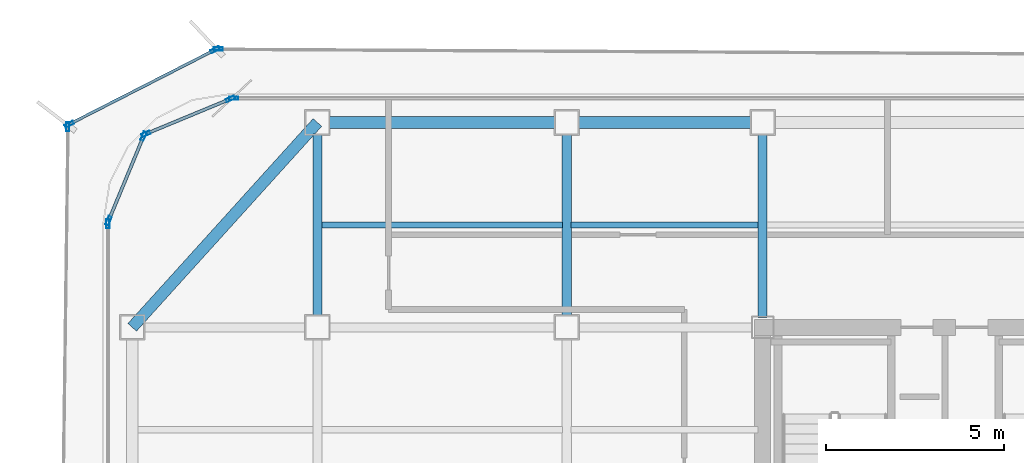
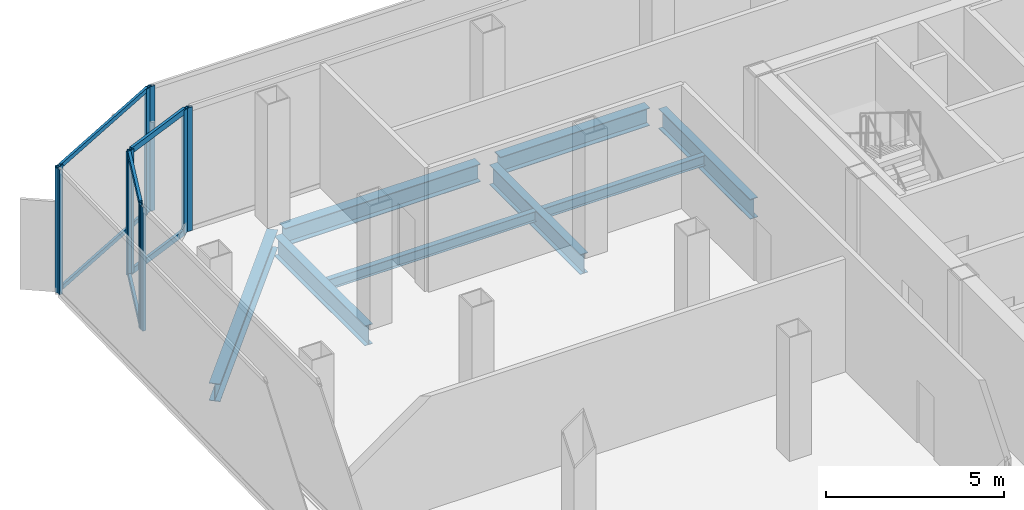
# One storey, part 6 of 14: 16 members, 8 beams, 7 elements without a shape of their own.
"""IFC4 building model written with IfcOpenShell, lengths in metres."""

from ifc_helpers import new_model, si_unit, direction, frame, origin, origin_2d, place, context, subcontext, project, spatial, hollow_rectangle, i_section, extrude, source, transform, mapped, material, layer, layer_set, material_profile, profile_set, type_object, element, aggregate, save


model = new_model("IFC4")

# Units and contexts
model_context = context("Model", 3, precision=1e-05, world=origin(), true_north=direction((0.0, 1.0)))
body_context = subcontext(model_context, "Body", "Model", "MODEL_VIEW")
ifc_project = project(units=[si_unit("LENGTHUNIT", "METRE"), si_unit("AREAUNIT", "SQUARE_METRE"), si_unit("VOLUMEUNIT", "CUBIC_METRE"), si_unit("PLANEANGLEUNIT", "RADIAN"), si_unit("MASSUNIT", "GRAM", prefix="KILO")], contexts=[model_context])

# Site, building, storey
site_placement = place(None, origin())
site = spatial("IfcSite", under=ifc_project, at=site_placement, CompositionType="ELEMENT")
building_placement = place(site_placement, origin())
building = spatial("IfcBuilding", under=site, at=building_placement, Name="Kolveth Station Tower", CompositionType="ELEMENT")
storey_placement = place(building_placement, frame((0.0, 0.0, 151.60009765625)))
storey = spatial("IfcBuildingStorey", under=building, at=storey_placement, Name="L42", CompositionType="ELEMENT", Elevation=151.60009765625)

# Beams
ifc_material_1 = material(Name="Steel S355", Category="steel")
ifc_material_profile_1 = material_profile(ifc_material_1, i_section(OverallWidth=0.323974609375, OverallDepth=0.611083984375, WebThickness=0.0126953125, FlangeThickness=0.01904296875, at=origin_2d()), Name="W610x155")
ifc_profile_set_1 = profile_set([ifc_material_profile_1], Name="Steel S355")
beam_type_1 = type_object("IfcBeamType", Name="Beam_SP2", PredefinedType="SPANDREL", material=ifc_profile_set_1)
shared_shape_1 = source(origin(), body_context, "Body", "SweptSolid", [
    extrude(i_section(OverallWidth=0.323974609375, OverallDepth=0.611083984375, WebThickness=0.0126953125, FlangeThickness=0.01904296875, at=origin_2d()), origin(), (0.0, 0.0, 1.0), 6.35986328125),
])
beam_1_placement = place(storey_placement, frame((6.320068359375, 34.5, -0.66552734375), z_axis=(1.0, 0.0, 0.0), x_axis=(0.0, 1.0, 0.0)))
element("IfcBeam", 1, at=beam_1_placement, inside=storey, type_object=beam_type_1, Name="L42 Perimeter Spandrel BM-L42-PN-1", PredefinedType="SPANDREL", context=body_context, shape_type="MappedRepresentation", body=[
    mapped(shared_shape_1, transform((0.0, 0.0, 0.0), x_axis=(1.0, 0.0, 0.0), y_axis=(0.0, 1.0, 0.0), z_axis=(0.0, 0.0, 1.0), scale=1.0)),
])
shared_shape_2 = source(origin(), body_context, "Body", "SweptSolid", [
    extrude(i_section(OverallWidth=0.323974609375, OverallDepth=0.611083984375, WebThickness=0.0126953125, FlangeThickness=0.01904296875, at=origin_2d()), origin(), (0.0, 0.0, 1.0), 4.85986328125),
])
beam_2_placement = place(storey_placement, frame((13.320068359375, 34.5, -0.66552734375), z_axis=(1.0, 0.0, 0.0), x_axis=(0.0, 1.0, 0.0)))
element("IfcBeam", 2, at=beam_2_placement, inside=storey, type_object=beam_type_1, Name="L42 Perimeter Spandrel BM-L42-PN-2", PredefinedType="SPANDREL", context=body_context, shape_type="MappedRepresentation", body=[
    mapped(shared_shape_2, transform((0.0, 0.0, 0.0), x_axis=(1.0, 0.0, 0.0), y_axis=(0.0, 1.0, 0.0), z_axis=(0.0, 0.0, 1.0), scale=1.0)),
])
shared_shape_3 = source(origin(), body_context, "Body", "SweptSolid", [
    extrude(i_section(OverallWidth=0.323974609375, OverallDepth=0.611083984375, WebThickness=0.0126953125, FlangeThickness=0.01904296875, at=origin_2d()), origin(), (0.0, 0.0, 1.0), 7.75244140625),
])
beam_3_placement = place(storey_placement, frame((6.0, 34.5, -0.66552734375), z_axis=(-0.670740965555, -0.74169168603, 0.0), x_axis=(0.74169168603, -0.670740965555, 0.0)))
element("IfcBeam", 3, at=beam_3_placement, inside=storey, type_object=beam_type_1, Name="L42 Corner Edge Girder BM-L42-CNR-NW", PredefinedType="SPANDREL", context=body_context, shape_type="MappedRepresentation", body=[
    mapped(shared_shape_3, transform((0.0, 0.0, 0.0), x_axis=(1.0, 0.0, 0.0), y_axis=(0.0, 1.0, 0.0), z_axis=(0.0, 0.0, 1.0), scale=1.0)),
])
ifc_material_profile_2 = material_profile(ifc_material_1, i_section(OverallWidth=0.25390625, OverallDepth=0.68798828125, WebThickness=0.01318359375, FlangeThickness=0.02099609375, at=origin_2d()), Name="W690x152")
ifc_profile_set_2 = profile_set([ifc_material_profile_2], Name="Steel S355")
beam_type_2 = type_object("IfcBeamType", Name="Beam_B4", PredefinedType="BEAM", material=ifc_profile_set_2)
shared_shape_4 = source(origin(), body_context, "Body", "SweptSolid", [
    extrude(i_section(OverallWidth=0.25390625, OverallDepth=0.68798828125, WebThickness=0.01318359375, FlangeThickness=0.02099609375, at=origin_2d()), origin(), (0.0, 0.0, 1.0), 5.10986328125),
])
for number, where, z_axis, x_axis, name in (
    (4, (6.0, 29.070068359375, -0.7041015625), (0.0, 1.0, 0.0), (-1.0, 0.0, 0.0), "L42 Primary Girder BM-L42-GX60-6"),
    (5, (13.0, 29.070068359375, -0.7041015625), (0.0, 1.0, 0.0), (-1.0, 0.0, 0.0), "L42 Primary Girder BM-L42-GX130-6"),
):
    element("IfcBeam", number, at=place(storey_placement, frame(where, z_axis=z_axis, x_axis=x_axis)), inside=storey, type_object=beam_type_2, Name=name, PredefinedType="BEAM", context=body_context, shape_type="MappedRepresentation", body=[
        mapped(shared_shape_4, transform((0.0, 0.0, 0.0), x_axis=(1.0, 0.0, 0.0), y_axis=(0.0, 1.0, 0.0), z_axis=(0.0, 0.0, 1.0), scale=1.0)),
    ])
shared_shape_5 = source(origin(), body_context, "Body", "SweptSolid", [
    extrude(i_section(OverallWidth=0.25390625, OverallDepth=0.68798828125, WebThickness=0.01318359375, FlangeThickness=0.02099609375, at=origin_2d()), origin(), (0.0, 0.0, 1.0), 5.14990234375),
])
beam_4_placement = place(storey_placement, frame((18.5, 29.030029296875, -0.7041015625), z_axis=(0.0, 1.0, 0.0), x_axis=(-1.0, 0.0, 0.0)))
element("IfcBeam", 6, at=beam_4_placement, inside=storey, type_object=beam_type_2, Name="L42 Primary Girder BM-L42-GX185-6", PredefinedType="BEAM", context=body_context, shape_type="MappedRepresentation", body=[
    mapped(shared_shape_5, transform((0.0, 0.0, 0.0), x_axis=(1.0, 0.0, 0.0), y_axis=(0.0, 1.0, 0.0), z_axis=(0.0, 0.0, 1.0), scale=1.0)),
])
ifc_material_profile_3 = material_profile(ifc_material_1, i_section(OverallWidth=0.1708984375, OverallDepth=0.35205078125, WebThickness=0.0068359375, FlangeThickness=0.009765625, at=origin_2d()), Name="W360x44")
ifc_profile_set_3 = profile_set([ifc_material_profile_3], Name="Steel S355")
beam_type_3 = type_object("IfcBeamType", Name="Beam_J2", PredefinedType="JOIST", material=ifc_profile_set_3)
shared_shape_6 = source(origin(), body_context, "Body", "SweptSolid", [
    extrude(i_section(OverallWidth=0.1708984375, OverallDepth=0.35205078125, WebThickness=0.0068359375, FlangeThickness=0.009765625, at=origin_2d()), origin(), (0.0, 0.0, 1.0), 6.75),
])
beam_5_placement = place(storey_placement, frame((6.125, 31.625, -0.5361328125), z_axis=(1.0, 0.0, 0.0), x_axis=(0.0, 1.0, 0.0)))
element("IfcBeam", 7, at=beam_5_placement, inside=storey, type_object=beam_type_3, Name="L42 Secondary Joist JST-L42-2-6", PredefinedType="JOIST", context=body_context, shape_type="MappedRepresentation", body=[
    mapped(shared_shape_6, transform((0.0, 0.0, 0.0), x_axis=(1.0, 0.0, 0.0), y_axis=(0.0, 1.0, 0.0), z_axis=(0.0, 0.0, 1.0), scale=1.0)),
])
shared_shape_7 = source(origin(), body_context, "Body", "SweptSolid", [
    extrude(i_section(OverallWidth=0.1708984375, OverallDepth=0.35205078125, WebThickness=0.0068359375, FlangeThickness=0.009765625, at=origin_2d()), origin(), (0.0, 0.0, 1.0), 5.25),
])
beam_6_placement = place(storey_placement, frame((13.125, 31.625, -0.5361328125), z_axis=(1.0, 0.0, 0.0), x_axis=(0.0, 1.0, 0.0)))
element("IfcBeam", 8, at=beam_6_placement, inside=storey, type_object=beam_type_3, Name="L42 Secondary Joist JST-L42-3-6", PredefinedType="JOIST", context=body_context, shape_type="MappedRepresentation", body=[
    mapped(shared_shape_7, transform((0.0, 0.0, 0.0), x_axis=(1.0, 0.0, 0.0), y_axis=(0.0, 1.0, 0.0), z_axis=(0.0, 0.0, 1.0), scale=1.0)),
])

# Curtain wall, member
ifc_material_2 = material(Name="Aluminium 6063-T6 and acoustic laminated dark glass", Category="aluminium")
ifc_layer_1 = layer(ifc_material_2, 0.219970703125)
ifc_layer_set_1 = layer_set([ifc_layer_1], Name="Aluminium 6063-T6 and acoustic laminated dark glass")
curtain_wall_type_1 = type_object("IfcCurtainWallType", Name="CurtainWall_CW-SL", PredefinedType="NOTDEFINED", material=ifc_layer_set_1)
curtain_wall_1_placement = place(storey_placement, origin())
curtain_wall_1 = element("IfcCurtainWall", 9, at=curtain_wall_1_placement, inside=storey, type_object=curtain_wall_type_1, Name="L42 Inner Thermal Curtain Wall 6", PredefinedType="NOTDEFINED")
ifc_material_3 = material(Name="Black anodized aluminium 6063-T6", Category="aluminium")
ifc_material_profile_4 = material_profile(ifc_material_3, hollow_rectangle(XDim=0.094970703125, YDim=0.25, WallThickness=0.0048828125, at=origin_2d()), Name="ALU-95x250x5")
ifc_profile_set_4 = profile_set([ifc_material_profile_4], Name="Black anodized aluminium 6063-T6")
member_type_1 = type_object("IfcMemberType", Name="Mullion_ML-SL", PredefinedType="MULLION", material=ifc_profile_set_4)
shared_shape_8 = source(origin(), body_context, "Body", "SweptSolid", [
    extrude(hollow_rectangle(XDim=0.094970703125, YDim=0.25, WallThickness=0.0048828125, at=origin_2d()), origin(), (0.0, 0.0, 1.0), 4.25),
])
member_1_placement = place(storey_placement, frame((3.6474609375, 35.179931640625, 0.0), z_axis=(0.0, 0.0, 1.0), x_axis=(0.0, -1.0, 0.0)))
member_1 = element("IfcMember", 10, at=member_1_placement, type_object=member_type_1, Name="CW-SL mullion 2", PredefinedType="MULLION", context=body_context, shape_type="MappedRepresentation", body=[
    mapped(shared_shape_8, transform((0.0, 0.0, 0.0), x_axis=(1.0, 0.0, 0.0), y_axis=(0.0, 1.0, 0.0), z_axis=(0.0, 0.0, 1.0), scale=1.0)),
])
aggregate(curtain_wall_1, [member_1])

# Curtain wall, members
curtain_wall_2_placement = place(storey_placement, origin())
curtain_wall_2 = element("IfcCurtainWall", 11, at=curtain_wall_2_placement, inside=storey, type_object=curtain_wall_type_1, Name="L42 Inner Thermal Curtain Wall 7", PredefinedType="NOTDEFINED")
member_2_placement = place(storey_placement, frame((3.55615234375, 35.161865234375, 0.0), z_axis=(0.0, 0.0, 1.0), x_axis=(0.382697753087, -0.923873600544, 0.0)))
member_2 = element("IfcMember", 12, at=member_2_placement, type_object=member_type_1, Name="CW-SL mullion 1", PredefinedType="MULLION", context=body_context, shape_type="MappedRepresentation", body=[
    mapped(shared_shape_8, transform((0.0, 0.0, 0.0), x_axis=(1.0, 0.0, 0.0), y_axis=(0.0, 1.0, 0.0), z_axis=(0.0, 0.0, 1.0), scale=1.0)),
])
member_3_placement = place(storey_placement, frame((1.18310546875, 34.178955078125, 0.0), z_axis=(0.0, 0.0, 1.0), x_axis=(0.382697753087, -0.923873600544, 0.0)))
member_3 = element("IfcMember", 13, at=member_3_placement, type_object=member_type_1, Name="CW-SL mullion 2", PredefinedType="MULLION", context=body_context, shape_type="MappedRepresentation", body=[
    mapped(shared_shape_8, transform((0.0, 0.0, 0.0), x_axis=(1.0, 0.0, 0.0), y_axis=(0.0, 1.0, 0.0), z_axis=(0.0, 0.0, 1.0), scale=1.0)),
])

curtain_wall_3_placement = place(storey_placement, origin())
curtain_wall_3 = element("IfcCurtainWall", 14, at=curtain_wall_3_placement, inside=storey, type_object=curtain_wall_type_1, Name="L42 Inner Thermal Curtain Wall 8", PredefinedType="NOTDEFINED")
member_4_placement = place(storey_placement, frame((1.12109375, 34.11669921875, 0.0), z_axis=(0.0, 0.0, 1.0), x_axis=(0.923873600544, -0.382697753087, 0.0)))
member_4 = element("IfcMember", 15, at=member_4_placement, type_object=member_type_1, Name="CW-SL mullion 1", PredefinedType="MULLION", context=body_context, shape_type="MappedRepresentation", body=[
    mapped(shared_shape_8, transform((0.0, 0.0, 0.0), x_axis=(1.0, 0.0, 0.0), y_axis=(0.0, 1.0, 0.0), z_axis=(0.0, 0.0, 1.0), scale=1.0)),
])
member_5_placement = place(storey_placement, frame((0.13818359375, 31.743896484375, 0.0), z_axis=(0.0, 0.0, 1.0), x_axis=(0.923873600544, -0.382697753087, 0.0)))
member_5 = element("IfcMember", 16, at=member_5_placement, type_object=member_type_1, Name="CW-SL mullion 2", PredefinedType="MULLION", context=body_context, shape_type="MappedRepresentation", body=[
    mapped(shared_shape_8, transform((0.0, 0.0, 0.0), x_axis=(1.0, 0.0, 0.0), y_axis=(0.0, 1.0, 0.0), z_axis=(0.0, 0.0, 1.0), scale=1.0)),
])

# Curtain wall, member
curtain_wall_4_placement = place(storey_placement, origin())
curtain_wall_4 = element("IfcCurtainWall", 17, at=curtain_wall_4_placement, inside=storey, type_object=curtain_wall_type_1, Name="L42 Inner Thermal Curtain Wall 9", PredefinedType="NOTDEFINED")
member_6_placement = place(storey_placement, frame((0.1201171875, 31.652587890625, 0.0), z_axis=(0.0, 0.0, 1.0), x_axis=(1.0, 0.0, 0.0)))
member_6 = element("IfcMember", 18, at=member_6_placement, type_object=member_type_1, Name="CW-SL mullion 1", PredefinedType="MULLION", context=body_context, shape_type="MappedRepresentation", body=[
    mapped(shared_shape_8, transform((0.0, 0.0, 0.0), x_axis=(1.0, 0.0, 0.0), y_axis=(0.0, 1.0, 0.0), z_axis=(0.0, 0.0, 1.0), scale=1.0)),
])
aggregate(curtain_wall_4, [member_6])

# Member
ifc_material_profile_5 = material_profile(ifc_material_3, hollow_rectangle(XDim=0.090087890625, YDim=0.199951171875, WallThickness=0.0048828125, at=origin_2d()), Name="ALU-90x200x5")
ifc_profile_set_5 = profile_set([ifc_material_profile_5], Name="Black anodized aluminium 6063-T6")
member_type_2 = type_object("IfcMemberType", Name="Transom_TR-SL", PredefinedType="USERDEFINED", material=ifc_profile_set_5)
shared_shape_9 = source(origin(), body_context, "Body", "SweptSolid", [
    extrude(hollow_rectangle(XDim=0.090087890625, YDim=0.199951171875, WallThickness=0.0048828125, at=origin_2d()), origin(), (0.0, 0.0, 1.0), 2.4736328125),
])
member_7_placement = place(storey_placement, frame((1.10302734375, 34.072998046875, 0.044921875), z_axis=(-0.382764396992, -0.923845991708, 0.0), x_axis=(0.923845991708, -0.382764396992, 0.0)))
member_7 = element("IfcMember", 19, at=member_7_placement, type_object=member_type_2, Name="CW-SL transom 1.1", ObjectType="TRANSOM", PredefinedType="USERDEFINED", context=body_context, shape_type="MappedRepresentation", body=[
    mapped(shared_shape_9, transform((0.0, 0.0, 0.0), x_axis=(1.0, 0.0, 0.0), y_axis=(0.0, 1.0, 0.0), z_axis=(0.0, 0.0, 1.0), scale=1.0)),
])

member_8_placement = place(storey_placement, frame((1.10302734375, 34.072998046875, 4.204833984375), z_axis=(-0.382764396992, -0.923845991708, 0.0), x_axis=(0.923845991708, -0.382764396992, 0.0)))
member_8 = element("IfcMember", 20, at=member_8_placement, type_object=member_type_2, Name="CW-SL transom 1.2", ObjectType="TRANSOM", PredefinedType="USERDEFINED", context=body_context, shape_type="MappedRepresentation", body=[
    mapped(shared_shape_9, transform((0.0, 0.0, 0.0), x_axis=(1.0, 0.0, 0.0), y_axis=(0.0, 1.0, 0.0), z_axis=(0.0, 0.0, 1.0), scale=1.0)),
])

aggregate(curtain_wall_3, [member_4, member_5, member_7, member_8])

shared_shape_10 = source(origin(), body_context, "Body", "SweptSolid", [
    extrude(hollow_rectangle(XDim=0.090087890625, YDim=0.199951171875, WallThickness=0.0048828125, at=origin_2d()), origin(), (0.0, 0.0, 1.0), 2.473388671875),
])
member_9_placement = place(storey_placement, frame((3.51220703125, 35.1435546875, 0.044921875), z_axis=(-0.92388089155, -0.38268015134, 0.0), x_axis=(0.38268015134, -0.92388089155, 0.0)))
member_9 = element("IfcMember", 21, at=member_9_placement, type_object=member_type_2, Name="CW-SL transom 1.1", ObjectType="TRANSOM", PredefinedType="USERDEFINED", context=body_context, shape_type="MappedRepresentation", body=[
    mapped(shared_shape_10, transform((0.0, 0.0, 0.0), x_axis=(1.0, 0.0, 0.0), y_axis=(0.0, 1.0, 0.0), z_axis=(0.0, 0.0, 1.0), scale=1.0)),
])

member_10_placement = place(storey_placement, frame((3.51220703125, 35.1435546875, 4.204833984375), z_axis=(-0.92388089155, -0.38268015134, 0.0), x_axis=(0.38268015134, -0.92388089155, 0.0)))
member_10 = element("IfcMember", 22, at=member_10_placement, type_object=member_type_2, Name="CW-SL transom 1.2", ObjectType="TRANSOM", PredefinedType="USERDEFINED", context=body_context, shape_type="MappedRepresentation", body=[
    mapped(shared_shape_10, transform((0.0, 0.0, 0.0), x_axis=(1.0, 0.0, 0.0), y_axis=(0.0, 1.0, 0.0), z_axis=(0.0, 0.0, 1.0), scale=1.0)),
])

aggregate(curtain_wall_2, [member_2, member_3, member_9, member_10])

# Curtain wall, member
ifc_material_4 = material(Name="Black anodized aluminium 6063-T6 and dark solar glass", Category="aluminium")
ifc_layer_2 = layer(ifc_material_4, 0.159912109375)
ifc_layer_set_2 = layer_set([ifc_layer_2], Name="Black anodized aluminium 6063-T6 and dark solar glass")
curtain_wall_type_2 = type_object("IfcCurtainWallType", Name="OUTER SKIN CW-OS", PredefinedType="NOTDEFINED", material=ifc_layer_set_2)
curtain_wall_5_placement = place(storey_placement, origin())
curtain_wall_5 = element("IfcCurtainWall", 23, at=curtain_wall_5_placement, inside=storey, type_object=curtain_wall_type_2, Name="L42 Outer Ventilated Skin Curtain Wall 4", PredefinedType="NOTDEFINED")
ifc_material_profile_6 = material_profile(ifc_material_3, hollow_rectangle(XDim=0.090087890625, YDim=0.260009765625, WallThickness=0.0048828125, at=origin_2d()), Name="ALU-90x260x5")
ifc_profile_set_6 = profile_set([ifc_material_profile_6], Name="Black anodized aluminium 6063-T6")
member_type_3 = type_object("IfcMemberType", Name="FIN MULLION ML-OS", PredefinedType="MULLION", material=ifc_profile_set_6)
shared_shape_11 = source(origin(), body_context, "Body", "SweptSolid", [
    extrude(hollow_rectangle(XDim=0.090087890625, YDim=0.260009765625, WallThickness=0.0048828125, at=origin_2d()), origin(), (0.0, 0.0, 1.0), 4.289794921875),
])
member_11_placement = place(storey_placement, frame((3.214111328125, 36.56298828125, 0.0), z_axis=(0.0, 0.0, 1.0), x_axis=(-0.005518665191, -0.999984772051, 0.0)))
member_11 = element("IfcMember", 24, at=member_11_placement, type_object=member_type_3, Name="CW-OS mullion 2", PredefinedType="MULLION", context=body_context, shape_type="MappedRepresentation", body=[
    mapped(shared_shape_11, transform((0.0, 0.0, 0.0), x_axis=(1.0, 0.0, 0.0), y_axis=(0.0, 1.0, 0.0), z_axis=(0.0, 0.0, 1.0), scale=1.0)),
])
aggregate(curtain_wall_5, [member_11])

# Curtain wall, members
curtain_wall_6_placement = place(storey_placement, origin())
curtain_wall_6 = element("IfcCurtainWall", 25, at=curtain_wall_6_placement, inside=storey, type_object=curtain_wall_type_2, Name="L42 Outer Ventilated Skin Curtain Wall 5", PredefinedType="NOTDEFINED")
member_12_placement = place(storey_placement, frame((3.12890625, 36.542724609375, 0.0), z_axis=(0.0, 0.0, 1.0), x_axis=(0.455014171614, -0.890484196171, 0.0)))
member_12 = element("IfcMember", 26, at=member_12_placement, type_object=member_type_3, Name="CW-OS mullion 1", PredefinedType="MULLION", context=body_context, shape_type="MappedRepresentation", body=[
    mapped(shared_shape_11, transform((0.0, 0.0, 0.0), x_axis=(1.0, 0.0, 0.0), y_axis=(0.0, 1.0, 0.0), z_axis=(0.0, 0.0, 1.0), scale=1.0)),
])
member_13_placement = place(storey_placement, frame((-0.968994140625, 34.44873046875, 0.0), z_axis=(0.0, 0.0, 1.0), x_axis=(0.455014171614, -0.890484196171, 0.0)))
member_13 = element("IfcMember", 27, at=member_13_placement, type_object=member_type_3, Name="CW-OS mullion 2", PredefinedType="MULLION", context=body_context, shape_type="MappedRepresentation", body=[
    mapped(shared_shape_11, transform((0.0, 0.0, 0.0), x_axis=(1.0, 0.0, 0.0), y_axis=(0.0, 1.0, 0.0), z_axis=(0.0, 0.0, 1.0), scale=1.0)),
])

# Curtain wall, member
curtain_wall_7_placement = place(storey_placement, origin())
curtain_wall_7 = element("IfcCurtainWall", 28, at=curtain_wall_7_placement, inside=storey, type_object=curtain_wall_type_2, Name="L42 Outer Ventilated Skin Curtain Wall 6", PredefinedType="NOTDEFINED")
member_14_placement = place(storey_placement, frame((-1.009521484375, 34.38330078125, 0.0), z_axis=(0.0, 0.0, 1.0), x_axis=(0.999912287097, -0.013244550305, 0.0)))
member_14 = element("IfcMember", 29, at=member_14_placement, type_object=member_type_3, Name="CW-OS mullion 1", PredefinedType="MULLION", context=body_context, shape_type="MappedRepresentation", body=[
    mapped(shared_shape_11, transform((0.0, 0.0, 0.0), x_axis=(1.0, 0.0, 0.0), y_axis=(0.0, 1.0, 0.0), z_axis=(0.0, 0.0, 1.0), scale=1.0)),
])
aggregate(curtain_wall_7, [member_14])

# Member
ifc_material_profile_7 = material_profile(ifc_material_3, hollow_rectangle(XDim=0.080078125, YDim=0.14990234375, WallThickness=0.0048828125, at=origin_2d()), Name="ALU-80x150x5")
ifc_profile_set_7 = profile_set([ifc_material_profile_7], Name="Black anodized aluminium 6063-T6")
member_type_4 = type_object("IfcMemberType", Name="Transom_TR-OS", PredefinedType="USERDEFINED", material=ifc_profile_set_7)
shared_shape_12 = source(origin(), body_context, "Body", "SweptSolid", [
    extrude(hollow_rectangle(XDim=0.080078125, YDim=0.14990234375, WallThickness=0.0048828125, at=origin_2d()), origin(), (0.0, 0.0, 1.0), 4.511962890625),
])
member_15_placement = place(storey_placement, frame((3.0888671875, 36.522216796875, 0.039794921875), z_axis=(-0.890486328729, -0.455009998073, 0.0), x_axis=(0.455009998073, -0.890486328729, 0.0)))
member_15 = element("IfcMember", 30, at=member_15_placement, type_object=member_type_4, Name="CW-OS transom 1.1", ObjectType="TRANSOM", PredefinedType="USERDEFINED", context=body_context, shape_type="MappedRepresentation", body=[
    mapped(shared_shape_12, transform((0.0, 0.0, 0.0), x_axis=(1.0, 0.0, 0.0), y_axis=(0.0, 1.0, 0.0), z_axis=(0.0, 0.0, 1.0), scale=1.0)),
])

member_16_placement = place(storey_placement, frame((3.0888671875, 36.522216796875, 4.25), z_axis=(-0.890486328729, -0.455009998073, 0.0), x_axis=(0.455009998073, -0.890486328729, 0.0)))
member_16 = element("IfcMember", 31, at=member_16_placement, type_object=member_type_4, Name="CW-OS transom 1.2", ObjectType="TRANSOM", PredefinedType="USERDEFINED", context=body_context, shape_type="MappedRepresentation", body=[
    mapped(shared_shape_12, transform((0.0, 0.0, 0.0), x_axis=(1.0, 0.0, 0.0), y_axis=(0.0, 1.0, 0.0), z_axis=(0.0, 0.0, 1.0), scale=1.0)),
])

aggregate(curtain_wall_6, [member_12, member_13, member_15, member_16])

save(model, "model.ifc")
